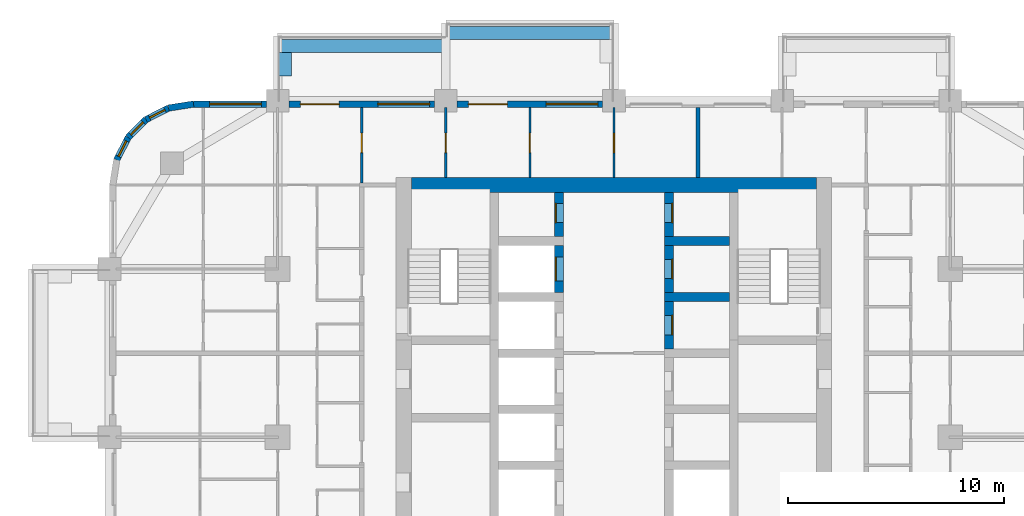
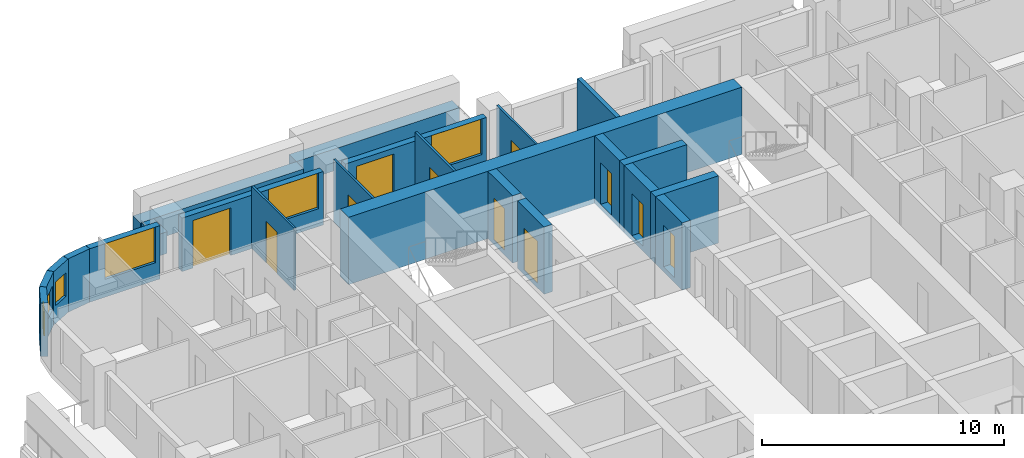
# One storey, part 11 of 17: 23 walls, 11 doors, 6 windows, 17 openings.
"""IFC4 building model written with IfcOpenShell, lengths in metres."""

import ifcopenshell
import ifcopenshell.guid

model = None  # the IFC model being written
_history = None  # IfcOwnerHistory: only IFC2X3 demands one
_inside = {}  # id of a spatial element -> (the spatial element, [elements in it])
_under = {}  # id of a project, library or spatial element -> (it, [spatial elements below it])
_declared = {}  # id of a project -> (the project, [libraries it declares])
_typed = {}  # id of a type object -> (the type object, [elements of that type])
_made_of = {}  # id of a material, layer set ... -> (it, [elements and type objects made of it])


def new_model(schema):
    """Start an empty IFC model of exactly this schema.

    Asked for "IFC4X3", IfcOpenShell would pick the latest addendum, in which some entities
    have other attributes; the version numbers below select the first issue.
    IFC2X3 requires an IfcOwnerHistory on every rooted entity: one is made here for all.
    """
    global model, _history
    if schema == "IFC4X3":
        model = ifcopenshell.file(schema_version=(4, 3, 0, 0))
    else:
        model = ifcopenshell.file(schema=schema)
    _inside.clear()
    _under.clear()
    _declared.clear()
    _typed.clear()
    _made_of.clear()
    _history = None
    if model.schema == "IFC2X3":
        org = make("IfcOrganization", Name="unknown")
        user = make(
            "IfcPersonAndOrganization",
            ThePerson=make("IfcPerson", FamilyName="unknown"),
            TheOrganization=org,
        )
        app = make(
            "IfcApplication",
            ApplicationDeveloper=org,
            Version="unknown",
            ApplicationFullName="unknown",
            ApplicationIdentifier="unknown",
        )
        _history = make(
            "IfcOwnerHistory",
            OwningUser=user,
            OwningApplication=app,
            ChangeAction="ADDED",
            CreationDate=0,
        )
    return model


def make(cls, **values):
    """One entity of the class cls with the attributes given. An attribute that is None is left unset."""
    return model.create_entity(
        cls, **{name: value for name, value in values.items() if value is not None}
    )


def rooted(cls, **values):
    """An entity with a GlobalId (a new one), such as an element, a storey or a relation."""
    return make(cls, GlobalId=ifcopenshell.guid.new(), OwnerHistory=_history, **values)


def si_unit(unit_type, name, prefix=None):
    """IfcSIUnit, for example si_unit("LENGTHUNIT", "METRE", prefix="MILLI")."""
    return make("IfcSIUnit", UnitType=unit_type, Prefix=prefix, Name=name)


def assignment(units):
    """IfcUnitAssignment: the units of a project."""
    return None if units is None else make("IfcUnitAssignment", Units=units)


def point(xyz):
    """IfcCartesianPoint."""
    return None if xyz is None else make("IfcCartesianPoint", Coordinates=xyz)


def direction(xyz):
    """IfcDirection."""
    return None if xyz is None else make("IfcDirection", DirectionRatios=xyz)


def frame(location, z_axis=None, x_axis=None):
    """IfcAxis2Placement3D, a coordinate frame: its origin and axes. An axis left out is left unset."""
    return make(
        "IfcAxis2Placement3D",
        Location=point(location),
        Axis=direction(z_axis),
        RefDirection=direction(x_axis),
    )


def frame_2d(location, x_axis=None):
    """IfcAxis2Placement2D, a coordinate frame in the plane: its origin and x axis."""
    return make(
        "IfcAxis2Placement2D", Location=point(location), RefDirection=direction(x_axis)
    )


def origin():
    """The frame at (0, 0, 0) with its axes left unset."""
    return frame((0.0, 0.0, 0.0))


def place(relative_to, where):
    """IfcLocalPlacement: puts the frame where relative to a parent placement (None: the world)."""
    return make(
        "IfcLocalPlacement", PlacementRelTo=relative_to, RelativePlacement=where
    )


def context(
    kind, dimensions, precision=None, world=None, true_north=None, identifier=None
):
    """IfcGeometricRepresentationContext, for example the 3D "Model" context."""
    return make(
        "IfcGeometricRepresentationContext",
        ContextIdentifier=identifier,
        ContextType=kind,
        CoordinateSpaceDimension=dimensions,
        Precision=precision,
        WorldCoordinateSystem=world,
        TrueNorth=true_north,
    )


def subcontext(parent, identifier, kind, view, scale=None):
    """IfcGeometricRepresentationSubContext, for example "Body" below "Model"."""
    return make(
        "IfcGeometricRepresentationSubContext",
        ContextIdentifier=identifier,
        ContextType=kind,
        ParentContext=parent,
        TargetScale=scale,
        TargetView=view,
    )


def project(units=None, contexts=None):
    """IfcProject with its units and contexts."""
    return rooted(
        "IfcProject",
        Name="project",
        RepresentationContexts=contexts,
        UnitsInContext=assignment(units),
    )


def spatial(cls, under=None, at=None, **own):
    """A site, building, storey or space (cls), placed at a placement, below another one or the project."""
    s = rooted(cls, ObjectPlacement=at, **own)
    if under is not None:
        _under.setdefault(under.id(), (under, []))[1].append(s)
    return s


def profile(cls, at=None, kind="AREA", **sizes):
    """A parametric profile (cls). Its sizes go by their IFC names, for example OverallWidth=200.0."""
    return make(cls, ProfileType=kind, Position=at, **sizes)


def rectangle(**sizes):
    """IfcRectangleProfileDef."""
    return profile("IfcRectangleProfileDef", **sizes)


def extrude(swept, where, along, depth):
    """IfcExtrudedAreaSolid: the profile swept, set in the frame where, extruded along a direction by depth."""
    return make(
        "IfcExtrudedAreaSolid",
        SweptArea=swept,
        Position=where,
        ExtrudedDirection=direction(along),
        Depth=depth,
    )


def shape(context_of_items, identifier, shape_type, items):
    """IfcShapeRepresentation: the items that make up one representation, for example the "Body"."""
    return make(
        "IfcShapeRepresentation",
        ContextOfItems=context_of_items,
        RepresentationIdentifier=identifier,
        RepresentationType=shape_type,
        Items=items,
    )


def material(Name=None, Category=None):
    """IfcMaterial."""
    return make("IfcMaterial", Name=Name, Category=Category)


def layer(
    of_material, thickness, ventilated=None, Name=None, Category=None, Priority=None
):
    """IfcMaterialLayer: one layer of a wall or slab, of a material (None: an air gap)."""
    return make(
        "IfcMaterialLayer",
        Material=of_material,
        LayerThickness=thickness,
        IsVentilated=ventilated,
        Name=Name,
        Category=Category,
        Priority=Priority,
    )


def layer_set(layers, Name=None):
    """IfcMaterialLayerSet."""
    return make("IfcMaterialLayerSet", MaterialLayers=layers, LayerSetName=Name)


def made_of(thing, what):
    """Note that an element or type object is made of a material, layer set ...; save() writes the relation."""
    if what is not None:
        _made_of.setdefault(what.id(), (what, []))[1].append(thing)
    return thing


def type_object(cls, material=None, **own):
    """A type object (cls), such as IfcWallType, which elements share."""
    return made_of(rooted(cls, **own), material)


def element(
    cls,
    number,
    at=None,
    inside=None,
    cuts=None,
    type_object=None,
    material=None,
    context=None,
    identifier="Body",
    shape_type=None,
    held_by="IfcProductDefinitionShape",
    body=None,
    shapes=None,
    **own,
):
    """One element of the class cls, such as IfcWall. Its Tag is "e" and its number.

    at: its placement. inside: the storey or other place that contains it. cuts: it is an
    opening in that element (IfcRelVoidsElement). A single representation is given by context,
    identifier, shape_type and body (its items); several are given by shapes. held_by: the class
    of the entity that holds the representations. save() writes the other relations.
    """
    e = rooted(cls, Tag="e%d" % number, ObjectPlacement=at, **own)
    if body is not None:
        shapes = [shape(context, identifier, shape_type, body)]
    if shapes is not None:
        e.Representation = make(held_by, Representations=shapes)
    if inside is not None:
        _inside.setdefault(inside.id(), (inside, []))[1].append(e)
    if cuts is not None:
        rooted(
            "IfcRelVoidsElement", RelatingBuildingElement=cuts, RelatedOpeningElement=e
        )
    if type_object is not None:
        _typed.setdefault(type_object.id(), (type_object, []))[1].append(e)
    return made_of(e, material)


def fill(opening, filler):
    """IfcRelFillsElement: the door or window that sits in an opening."""
    return rooted(
        "IfcRelFillsElement",
        RelatingOpeningElement=opening,
        RelatedBuildingElement=filler,
    )


def aggregate(whole, parts):
    """IfcRelAggregates: a whole, such as a stair, and the parts it consists of."""
    return rooted("IfcRelAggregates", RelatingObject=whole, RelatedObjects=parts)


def save(model, path):
    """Write the relations noted so far, then the file.

    IfcRelAggregates (storeys below a building ...), IfcRelContainedInSpatialStructure (elements
    in a storey), IfcRelDefinesByType, IfcRelAssociatesMaterial and IfcRelDeclares: one each for
    every whole, place, type object, material and project.
    """
    for whole, parts in _under.values():
        aggregate(whole, parts)
    for where, things in _inside.values():
        rooted(
            "IfcRelContainedInSpatialStructure",
            RelatedElements=things,
            RelatingStructure=where,
        )
    for kind, things in _typed.values():
        rooted("IfcRelDefinesByType", RelatedObjects=things, RelatingType=kind)
    for what, things in _made_of.values():
        rooted("IfcRelAssociatesMaterial", RelatedObjects=things, RelatingMaterial=what)
    for by, libraries in _declared.values():
        rooted("IfcRelDeclares", RelatingContext=by, RelatedDefinitions=libraries)
    model.write(path)


model = new_model("IFC4")

# Units and contexts
model_context = context("Model", 3, precision=1e-05, world=origin(), true_north=direction((0.0, 1.0)))
body_context = subcontext(model_context, "Body", "Model", "MODEL_VIEW")
ifc_project = project(units=[si_unit("LENGTHUNIT", "METRE"), si_unit("AREAUNIT", "SQUARE_METRE"), si_unit("VOLUMEUNIT", "CUBIC_METRE"), si_unit("PLANEANGLEUNIT", "RADIAN"), si_unit("MASSUNIT", "GRAM", prefix="KILO")], contexts=[model_context])

# Site, building, storey
site_placement = place(None, origin())
site = spatial("IfcSite", under=ifc_project, at=site_placement, CompositionType="ELEMENT")
building_placement = place(site_placement, origin())
building = spatial("IfcBuilding", under=site, at=building_placement, Name="Ludao Terraces", CompositionType="ELEMENT")
storey_placement = place(building_placement, frame((0.0, 0.0, 22.89990234375)))
storey = spatial("IfcBuildingStorey", under=building, at=storey_placement, Name="L05", CompositionType="ELEMENT", Elevation=22.89990234375)

# Walls
ifc_material_1 = material(Name="Concrete C70", Category="concrete")
ifc_layer_1 = layer(ifc_material_1, 0.699951171875)
ifc_layer_set_1 = layer_set([ifc_layer_1], Name="Core wall 700 C70")
wall_type_1 = type_object("IfcWallType", Name="Core wall 700 C70", PredefinedType="SOLIDWALL", material=ifc_layer_set_1)
wall_1_placement = place(storey_placement, frame((75.60009765625, 84.5, -0.25), z_axis=(0.0, 0.0, 1.0), x_axis=(1.0, 0.0, 0.0)))
element("IfcWall", 1, at=wall_1_placement, inside=storey, type_object=wall_type_1, Name="Core wall L05 outer-N", PredefinedType="SOLIDWALL", context=body_context, shape_type="SweptSolid", body=[
    extrude(rectangle(XDim=18.7998046875, YDim=0.699951171875, at=frame_2d((9.39990234375, 0.0))), origin(), (0.0, 0.0, 1.0), 3.400146484375),
])
ifc_material_2 = material(Name="Concrete C40", Category="concrete")
ifc_layer_2 = layer(ifc_material_2, 0.60009765625)
ifc_layer_set_2 = layer_set([ifc_layer_2], Name="ENV Planter trough 600")
wall_type_2 = type_object("IfcWallType", Name="ENV Planter trough 600", PredefinedType="USERDEFINED", material=ifc_layer_set_2)
wall_2_placement = place(storey_placement, frame((69.39990234375, 90.949951171875, 0.0), z_axis=(0.0, 0.0, 1.0), x_axis=(1.0, 0.0, 0.0)))
element("IfcWall", 2, at=wall_2_placement, inside=storey, type_object=wall_type_2, Name="PL-L05-N1", ObjectType="PLANTER", PredefinedType="USERDEFINED", context=body_context, shape_type="SweptSolid", body=[
    extrude(rectangle(XDim=7.800048828125, YDim=0.60009765625, at=frame_2d((3.89990234375, 0.0))), origin(), (0.0, 0.0, 1.0), 1.10009765625),
])
wall_3_placement = place(storey_placement, frame((69.75, 90.64990234375, 0.0), z_axis=(0.0, 0.0, 1.0), x_axis=(0.0, -1.0, 0.0)))
element("IfcWall", 3, at=wall_3_placement, inside=storey, type_object=wall_type_2, Name="PL-L05-N1-SA", ObjectType="PLANTER", PredefinedType="USERDEFINED", context=body_context, shape_type="SweptSolid", body=[
    extrude(rectangle(XDim=1.099853515625, YDim=0.60009765625, at=frame_2d((0.5498046875, 0.0))), origin(), (0.0, 0.0, 1.0), 1.10009765625),
])
wall_4_placement = place(storey_placement, frame((77.199951171875, 91.550048828125, 0.0), z_axis=(0.0, 0.0, 1.0), x_axis=(1.0, 0.0, 0.0)))
element("IfcWall", 4, at=wall_4_placement, inside=storey, type_object=wall_type_2, Name="PL-L05-N2", ObjectType="PLANTER", PredefinedType="USERDEFINED", context=body_context, shape_type="SweptSolid", body=[
    extrude(rectangle(XDim=7.800048828125, YDim=0.60009765625, at=frame_2d((3.89990234375, 0.0))), origin(), (0.0, 0.0, 1.0), 1.10009765625),
])

# Wall, opening, window
ifc_material_3 = material(Name="Granite cladding", Category="masonry")
ifc_layer_3 = layer(ifc_material_3, 0.0400390625, Category="stone")
ifc_material_4 = material(Name="Mineral wool")
ifc_layer_4 = layer(ifc_material_4, 0.06005859375)
ifc_layer_5 = layer(ifc_material_2, 0.199951171875, Category="concrete")
ifc_layer_set_3 = layer_set([ifc_layer_3, ifc_layer_4, ifc_layer_5], Name="ENV Stone-clad wall 300")
wall_type_3 = type_object("IfcWallType", Name="ENV Stone-clad wall 300", PredefinedType="SOLIDWALL", material=ifc_layer_set_3)
wall_5_placement = place(storey_placement, frame((65.5, 88.25, 0.0), z_axis=(0.0, 0.0, 1.0), x_axis=(1.0, 0.0, 0.0)))
wall_5 = element("IfcWall", 5, at=wall_5_placement, inside=storey, type_object=wall_type_3, Name="EW-L05-N1", PredefinedType="SOLIDWALL", context=body_context, shape_type="SweptSolid", body=[
    extrude(rectangle(XDim=3.375, YDim=0.300048828125, at=frame_2d((1.6875, 0.0))), origin(), (0.0, 0.0, 1.0), 2.7001953125),
])
opening_1_placement = place(wall_5_placement, frame((0.75, 0.0, 0.89990234375)))
opening_1 = element("IfcOpeningElement", 6, at=opening_1_placement, cuts=wall_5, Name="Opening W1", PredefinedType="OPENING", context=body_context, shape_type="SweptSolid", body=[
    extrude(rectangle(XDim=2.39990234375, YDim=1.800048828125, at=frame_2d((1.199951171875, 0.89990234375))), frame((0.0, 0.16015625, 0.0), z_axis=(0.0, -1.0, 0.0), x_axis=(1.0, 0.0, 0.0)), (0.0, 0.0, 1.0), 0.320068359375),
])
ifc_material_5 = material(Name="Clear glass in aluminium frame", Category="aluminium")
ifc_layer_6 = layer(ifc_material_5, 0.06005859375)
ifc_layer_set_4 = layer_set([ifc_layer_6], Name="ENV Window W1 2400x1800")
window_type_1 = type_object("IfcWindowType", Name="ENV Window W1 2400x1800", PartitioningType="DOUBLE_PANEL_VERTICAL", PredefinedType="WINDOW", material=ifc_layer_set_4)
window_1_placement = place(opening_1_placement, origin())
window_1 = element("IfcWindow", 7, at=window_1_placement, inside=storey, type_object=window_type_1, Name="W-L05-N1-1", OverallHeight=1.800048828125, OverallWidth=2.39990234375, PartitioningType="DOUBLE_PANEL_VERTICAL", PredefinedType="WINDOW", context=body_context, shape_type="SweptSolid", body=[
    extrude(rectangle(XDim=2.39990234375, YDim=1.800048828125, at=frame_2d((1.199951171875, 0.89990234375))), frame((0.0, 0.030029296875, 0.0), z_axis=(0.0, -1.0, 0.0), x_axis=(1.0, 0.0, 0.0)), (0.0, 0.0, 1.0), 0.06005859375),
])
fill(opening_1, window_1)

# Wall, openings, door, window
wall_6_placement = place(storey_placement, frame((69.925048828125, 88.25, 0.0), z_axis=(0.0, 0.0, 1.0), x_axis=(1.0, 0.0, 0.0)))
wall_6 = element("IfcWall", 8, at=wall_6_placement, inside=storey, type_object=wall_type_3, Name="EW-L05-N2", PredefinedType="SOLIDWALL", context=body_context, shape_type="SweptSolid", body=[
    extrude(rectangle(XDim=6.75, YDim=0.300048828125, at=frame_2d((3.375, 0.0))), origin(), (0.0, 0.0, 1.0), 2.7001953125),
])
opening_2_placement = place(wall_6_placement, frame((0.52490234375, 0.0, 0.0)))
opening_2 = element("IfcOpeningElement", 9, at=opening_2_placement, cuts=wall_6, Name="Opening BD", PredefinedType="OPENING", context=body_context, shape_type="SweptSolid", body=[
    extrude(rectangle(XDim=1.800048828125, YDim=2.39990234375, at=frame_2d((0.89990234375, 1.199951171875))), frame((0.0, 0.16015625, 0.0), z_axis=(0.0, -1.0, 0.0), x_axis=(1.0, 0.0, 0.0)), (0.0, 0.0, 1.0), 0.320068359375),
])
opening_3_placement = place(wall_6_placement, frame((4.125, 0.0, 0.89990234375)))
opening_3 = element("IfcOpeningElement", 10, at=opening_3_placement, cuts=wall_6, Name="Opening W1", PredefinedType="OPENING", context=body_context, shape_type="SweptSolid", body=[
    extrude(rectangle(XDim=2.39990234375, YDim=1.800048828125, at=frame_2d((1.199951171875, 0.89990234375))), frame((0.0, 0.16015625, 0.0), z_axis=(0.0, -1.0, 0.0), x_axis=(1.0, 0.0, 0.0)), (0.0, 0.0, 1.0), 0.320068359375),
])
ifc_material_6 = material(Name="Aluminium glazed door", Category="aluminium")
ifc_layer_7 = layer(ifc_material_6, 0.06005859375)
ifc_layer_set_5 = layer_set([ifc_layer_7], Name="ENV Balcony door BD 1800x2400")
door_type_1 = type_object("IfcDoorType", Name="ENV Balcony door BD 1800x2400", OperationType="DOUBLE_DOOR_SINGLE_SWING", PredefinedType="DOOR", material=ifc_layer_set_5)
door_1_placement = place(opening_2_placement, origin())
door_1 = element("IfcDoor", 11, at=door_1_placement, inside=storey, type_object=door_type_1, Name="BD-L05-N2-1", OperationType="DOUBLE_DOOR_SINGLE_SWING", OverallHeight=2.39990234375, OverallWidth=1.800048828125, PredefinedType="DOOR", context=body_context, shape_type="SweptSolid", body=[
    extrude(rectangle(XDim=1.800048828125, YDim=2.39990234375, at=frame_2d((0.89990234375, 1.199951171875))), frame((0.0, 0.02490234375, 0.0), z_axis=(0.0, -1.0, 0.0), x_axis=(1.0, 0.0, 0.0)), (0.0, 0.0, 1.0), 0.050048828125),
])
fill(opening_2, door_1)
window_2_placement = place(opening_3_placement, origin())
window_2 = element("IfcWindow", 12, at=window_2_placement, inside=storey, type_object=window_type_1, Name="W-L05-N2-2", OverallHeight=1.800048828125, OverallWidth=2.39990234375, PartitioningType="DOUBLE_PANEL_VERTICAL", PredefinedType="WINDOW", context=body_context, shape_type="SweptSolid", body=[
    extrude(rectangle(XDim=2.39990234375, YDim=1.800048828125, at=frame_2d((1.199951171875, 0.89990234375))), frame((0.0, 0.030029296875, 0.0), z_axis=(0.0, -1.0, 0.0), x_axis=(1.0, 0.0, 0.0)), (0.0, 0.0, 1.0), 0.06005859375),
])
fill(opening_3, window_2)

wall_7_placement = place(storey_placement, frame((77.72509765625, 88.25, 0.0), z_axis=(0.0, 0.0, 1.0), x_axis=(1.0, 0.0, 0.0)))
wall_7 = element("IfcWall", 13, at=wall_7_placement, inside=storey, type_object=wall_type_3, Name="EW-L05-N3", PredefinedType="SOLIDWALL", context=body_context, shape_type="SweptSolid", body=[
    extrude(rectangle(XDim=6.75, YDim=0.300048828125, at=frame_2d((3.375, 0.0))), origin(), (0.0, 0.0, 1.0), 2.7001953125),
])
opening_4_placement = place(wall_7_placement, frame((0.52490234375, 0.0, 0.0)))
opening_4 = element("IfcOpeningElement", 14, at=opening_4_placement, cuts=wall_7, Name="Opening BD", PredefinedType="OPENING", context=body_context, shape_type="SweptSolid", body=[
    extrude(rectangle(XDim=1.800048828125, YDim=2.39990234375, at=frame_2d((0.89990234375, 1.199951171875))), frame((0.0, 0.16015625, 0.0), z_axis=(0.0, -1.0, 0.0), x_axis=(1.0, 0.0, 0.0)), (0.0, 0.0, 1.0), 0.320068359375),
])
opening_5_placement = place(wall_7_placement, frame((4.125, 0.0, 0.89990234375)))
opening_5 = element("IfcOpeningElement", 15, at=opening_5_placement, cuts=wall_7, Name="Opening W1", PredefinedType="OPENING", context=body_context, shape_type="SweptSolid", body=[
    extrude(rectangle(XDim=2.39990234375, YDim=1.800048828125, at=frame_2d((1.199951171875, 0.89990234375))), frame((0.0, 0.16015625, 0.0), z_axis=(0.0, -1.0, 0.0), x_axis=(1.0, 0.0, 0.0)), (0.0, 0.0, 1.0), 0.320068359375),
])
door_2_placement = place(opening_4_placement, origin())
door_2 = element("IfcDoor", 16, at=door_2_placement, inside=storey, type_object=door_type_1, Name="BD-L05-N3-1", OperationType="DOUBLE_DOOR_SINGLE_SWING", OverallHeight=2.39990234375, OverallWidth=1.800048828125, PredefinedType="DOOR", context=body_context, shape_type="SweptSolid", body=[
    extrude(rectangle(XDim=1.800048828125, YDim=2.39990234375, at=frame_2d((0.89990234375, 1.199951171875))), frame((0.0, 0.02490234375, 0.0), z_axis=(0.0, -1.0, 0.0), x_axis=(1.0, 0.0, 0.0)), (0.0, 0.0, 1.0), 0.050048828125),
])
fill(opening_4, door_2)
window_3_placement = place(opening_5_placement, origin())
window_3 = element("IfcWindow", 17, at=window_3_placement, inside=storey, type_object=window_type_1, Name="W-L05-N3-2", OverallHeight=1.800048828125, OverallWidth=2.39990234375, PartitioningType="DOUBLE_PANEL_VERTICAL", PredefinedType="WINDOW", context=body_context, shape_type="SweptSolid", body=[
    extrude(rectangle(XDim=2.39990234375, YDim=1.800048828125, at=frame_2d((1.199951171875, 0.89990234375))), frame((0.0, 0.030029296875, 0.0), z_axis=(0.0, -1.0, 0.0), x_axis=(1.0, 0.0, 0.0)), (0.0, 0.0, 1.0), 0.06005859375),
])
fill(opening_5, window_3)

# Wall
wall_8_placement = place(storey_placement, frame((65.5, 88.25, 0.0), z_axis=(0.0, 0.0, 1.0), x_axis=(-0.987678452879, -0.156496880861, 0.0)))
element("IfcWall", 18, at=wall_8_placement, inside=storey, type_object=wall_type_3, Name="EW-L05-NW1", PredefinedType="SOLIDWALL", context=body_context, shape_type="SweptSolid", body=[
    extrude(rectangle(XDim=1.173095703125, YDim=0.300048828125, at=frame_2d((0.58642578125, 0.0))), origin(), (0.0, 0.0, 1.0), 2.7001953125),
])

# Wall, opening, window
wall_9_placement = place(storey_placement, frame((64.34130859375, 88.06640625, 0.0), z_axis=(0.0, 0.0, 1.0), x_axis=(-0.890988677504, -0.454025524128, 0.0)))
wall_9 = element("IfcWall", 19, at=wall_9_placement, inside=storey, type_object=wall_type_3, Name="EW-L05-NW2", PredefinedType="SOLIDWALL", context=body_context, shape_type="SweptSolid", body=[
    extrude(rectangle(XDim=1.17333984375, YDim=0.300048828125, at=frame_2d((0.586669921875, 0.0))), origin(), (0.0, 0.0, 1.0), 2.7001953125),
])
opening_6_placement = place(wall_9_placement, frame((0.1865234375, 0.0, 0.89990234375)))
opening_6 = element("IfcOpeningElement", 20, at=opening_6_placement, cuts=wall_9, Name="Opening W3", PredefinedType="OPENING", context=body_context, shape_type="SweptSolid", body=[
    extrude(rectangle(XDim=0.800048828125, YDim=1.199951171875, at=frame_2d((0.39990234375, 0.60009765625))), frame((0.0, 0.16015625, 0.0), z_axis=(0.0, -1.0, 0.0), x_axis=(1.0, 0.0, 0.0)), (0.0, 0.0, 1.0), 0.320068359375),
])
ifc_layer_8 = layer(ifc_material_5, 0.06005859375)
ifc_layer_set_6 = layer_set([ifc_layer_8], Name="ENV Window W3 800x1200")
window_type_2 = type_object("IfcWindowType", Name="ENV Window W3 800x1200", PartitioningType="SINGLE_PANEL", PredefinedType="WINDOW", material=ifc_layer_set_6)
window_4_placement = place(opening_6_placement, origin())
window_4 = element("IfcWindow", 21, at=window_4_placement, inside=storey, type_object=window_type_2, Name="W-L05-NW2", OverallHeight=1.199951171875, OverallWidth=0.800048828125, PartitioningType="SINGLE_PANEL", PredefinedType="WINDOW", context=body_context, shape_type="SweptSolid", body=[
    extrude(rectangle(XDim=0.800048828125, YDim=1.199951171875, at=frame_2d((0.39990234375, 0.60009765625))), frame((0.0, 0.030029296875, 0.0), z_axis=(0.0, -1.0, 0.0), x_axis=(1.0, 0.0, 0.0)), (0.0, 0.0, 1.0), 0.06005859375),
])
fill(opening_6, window_4)

wall_10_placement = place(storey_placement, frame((63.2958984375, 87.53369140625, 0.0), z_axis=(0.0, 0.0, 1.0), x_axis=(-0.707106781187, -0.707106781187, 0.0)))
wall_10 = element("IfcWall", 22, at=wall_10_placement, inside=storey, type_object=wall_type_3, Name="EW-L05-NW3", PredefinedType="SOLIDWALL", context=body_context, shape_type="SweptSolid", body=[
    extrude(rectangle(XDim=1.173095703125, YDim=0.300048828125, at=frame_2d((0.58642578125, 0.0))), origin(), (0.0, 0.0, 1.0), 2.7001953125),
])
opening_7_placement = place(wall_10_placement, frame((0.1865234375, 0.0, 0.89990234375)))
opening_7 = element("IfcOpeningElement", 23, at=opening_7_placement, cuts=wall_10, Name="Opening W3", PredefinedType="OPENING", context=body_context, shape_type="SweptSolid", body=[
    extrude(rectangle(XDim=0.800048828125, YDim=1.199951171875, at=frame_2d((0.39990234375, 0.60009765625))), frame((0.0, 0.16015625, 0.0), z_axis=(0.0, -1.0, 0.0), x_axis=(1.0, 0.0, 0.0)), (0.0, 0.0, 1.0), 0.320068359375),
])
window_5_placement = place(opening_7_placement, origin())
window_5 = element("IfcWindow", 24, at=window_5_placement, inside=storey, type_object=window_type_2, Name="W-L05-NW3", OverallHeight=1.199951171875, OverallWidth=0.800048828125, PartitioningType="SINGLE_PANEL", PredefinedType="WINDOW", context=body_context, shape_type="SweptSolid", body=[
    extrude(rectangle(XDim=0.800048828125, YDim=1.199951171875, at=frame_2d((0.39990234375, 0.60009765625))), frame((0.0, 0.030029296875, 0.0), z_axis=(0.0, -1.0, 0.0), x_axis=(1.0, 0.0, 0.0)), (0.0, 0.0, 1.0), 0.06005859375),
])
fill(opening_7, window_5)

wall_11_placement = place(storey_placement, frame((62.46630859375, 86.7041015625, 0.0), z_axis=(0.0, 0.0, 1.0), x_axis=(-0.454025524128, -0.890988677504, 0.0)))
wall_11 = element("IfcWall", 25, at=wall_11_placement, inside=storey, type_object=wall_type_3, Name="EW-L05-NW4", PredefinedType="SOLIDWALL", context=body_context, shape_type="SweptSolid", body=[
    extrude(rectangle(XDim=1.17333984375, YDim=0.300048828125, at=frame_2d((0.586669921875, 0.0))), origin(), (0.0, 0.0, 1.0), 2.7001953125),
])
opening_8_placement = place(wall_11_placement, frame((0.1865234375, 0.0, 0.89990234375)))
opening_8 = element("IfcOpeningElement", 26, at=opening_8_placement, cuts=wall_11, Name="Opening W3", PredefinedType="OPENING", context=body_context, shape_type="SweptSolid", body=[
    extrude(rectangle(XDim=0.800048828125, YDim=1.199951171875, at=frame_2d((0.39990234375, 0.60009765625))), frame((0.0, 0.16015625, 0.0), z_axis=(0.0, -1.0, 0.0), x_axis=(1.0, 0.0, 0.0)), (0.0, 0.0, 1.0), 0.320068359375),
])
window_6_placement = place(opening_8_placement, origin())
window_6 = element("IfcWindow", 27, at=window_6_placement, inside=storey, type_object=window_type_2, Name="W-L05-NW4", OverallHeight=1.199951171875, OverallWidth=0.800048828125, PartitioningType="SINGLE_PANEL", PredefinedType="WINDOW", context=body_context, shape_type="SweptSolid", body=[
    extrude(rectangle(XDim=0.800048828125, YDim=1.199951171875, at=frame_2d((0.39990234375, 0.60009765625))), frame((0.0, 0.030029296875, 0.0), z_axis=(0.0, -1.0, 0.0), x_axis=(1.0, 0.0, 0.0)), (0.0, 0.0, 1.0), 0.06005859375),
])
fill(opening_8, window_6)

# Wall, opening, door
ifc_material_7 = material(Name="Gypsum plasterboard", Category="gypsum")
ifc_layer_9 = layer(ifc_material_7, 0.012451171875, Category="gypsum")
ifc_layer_10 = layer(ifc_material_4, 0.06005859375, Name="insulation")
ifc_material_8 = material(Name="Steel Q235", Category="steel")
ifc_layer_11 = layer(ifc_material_8, 0.014892578125, Name="stud")
ifc_layer_12 = layer(ifc_material_7, 0.012451171875, Category="gypsum")
ifc_layer_set_7 = layer_set([ifc_layer_9, ifc_layer_10, ifc_layer_11, ifc_layer_12], Name="INT Partition 100")
wall_type_4 = type_object("IfcWallType", Name="INT Partition 100", PredefinedType="PARTITIONING", material=ifc_layer_set_7)
wall_12_placement = place(storey_placement, frame((73.300048828125, 84.60009765625, 0.0), z_axis=(0.0, 0.0, 1.0), x_axis=(0.0, 1.0, 0.0)))
wall_12 = element("IfcWall", 28, at=wall_12_placement, inside=storey, type_object=wall_type_4, Name="PW-L05-PW085", PredefinedType="PARTITIONING", context=body_context, shape_type="SweptSolid", body=[
    extrude(rectangle(XDim=3.5, YDim=0.10009765625, at=frame_2d((1.75, 0.0))), origin(), (0.0, 0.0, 1.0), 3.150146484375),
])
opening_9_placement = place(wall_12_placement, frame((1.39990234375, 0.0, 0.0)))
opening_9 = element("IfcOpeningElement", 29, at=opening_9_placement, cuts=wall_12, Name="Opening R01-151", PredefinedType="OPENING", context=body_context, shape_type="SweptSolid", body=[
    extrude(rectangle(XDim=0.89990234375, YDim=2.10009765625, at=frame_2d((0.449951171875, 1.050048828125))), frame((0.0, 0.06005859375, 0.0), z_axis=(0.0, -1.0, 0.0), x_axis=(1.0, 0.0, 0.0)), (0.0, 0.0, 1.0), 0.1201171875),
])
ifc_material_9 = material(Name="Timber door leaf", Category="wood")
door_type_2 = type_object("IfcDoorType", Name="INT Room door 900", OperationType="SINGLE_SWING_LEFT", PredefinedType="DOOR", material=ifc_material_9)
door_3_placement = place(opening_9_placement, origin())
door_3 = element("IfcDoor", 30, at=door_3_placement, inside=storey, type_object=door_type_2, Name="DOOR 151", OperationType="SINGLE_SWING_LEFT", OverallHeight=2.10009765625, OverallWidth=0.89990234375, PredefinedType="DOOR", context=body_context, shape_type="SweptSolid", body=[
    extrude(rectangle(XDim=0.89990234375, YDim=2.10009765625, at=frame_2d((0.449951171875, 1.050048828125))), frame((0.0, 0.02490234375, 0.0), z_axis=(0.0, -1.0, 0.0), x_axis=(1.0, 0.0, 0.0)), (0.0, 0.0, 1.0), 0.050048828125),
])
fill(opening_9, door_3)

wall_13_placement = place(storey_placement, frame((77.199951171875, 84.85009765625, 0.0), z_axis=(0.0, 0.0, 1.0), x_axis=(0.0, 1.0, 0.0)))
wall_13 = element("IfcWall", 31, at=wall_13_placement, inside=storey, type_object=wall_type_4, Name="PW-L05-PW089", PredefinedType="PARTITIONING", context=body_context, shape_type="SweptSolid", body=[
    extrude(rectangle(XDim=3.25, YDim=0.10009765625, at=frame_2d((1.625, 0.0))), origin(), (0.0, 0.0, 1.0), 3.150146484375),
])
opening_10_placement = place(wall_13_placement, frame((1.14990234375, 0.0, 0.0)))
opening_10 = element("IfcOpeningElement", 32, at=opening_10_placement, cuts=wall_13, Name="Opening R01-152", PredefinedType="OPENING", context=body_context, shape_type="SweptSolid", body=[
    extrude(rectangle(XDim=0.89990234375, YDim=2.10009765625, at=frame_2d((0.449951171875, 1.050048828125))), frame((0.0, 0.06005859375, 0.0), z_axis=(0.0, -1.0, 0.0), x_axis=(1.0, 0.0, 0.0)), (0.0, 0.0, 1.0), 0.1201171875),
])
door_4_placement = place(opening_10_placement, origin())
door_4 = element("IfcDoor", 33, at=door_4_placement, inside=storey, type_object=door_type_2, Name="DOOR 152", OperationType="SINGLE_SWING_RIGHT", OverallHeight=2.10009765625, OverallWidth=0.89990234375, PredefinedType="DOOR", context=body_context, shape_type="SweptSolid", body=[
    extrude(rectangle(XDim=0.89990234375, YDim=2.10009765625, at=frame_2d((0.449951171875, 1.050048828125))), frame((0.0, 0.02490234375, 0.0), z_axis=(0.0, -1.0, 0.0), x_axis=(1.0, 0.0, 0.0)), (0.0, 0.0, 1.0), 0.050048828125),
])
fill(opening_10, door_4)

wall_14_placement = place(storey_placement, frame((81.10009765625, 84.85009765625, 0.0), z_axis=(0.0, 0.0, 1.0), x_axis=(0.0, 1.0, 0.0)))
wall_14 = element("IfcWall", 34, at=wall_14_placement, inside=storey, type_object=wall_type_4, Name="PW-L05-PW093", PredefinedType="PARTITIONING", context=body_context, shape_type="SweptSolid", body=[
    extrude(rectangle(XDim=3.25, YDim=0.10009765625, at=frame_2d((1.625, 0.0))), origin(), (0.0, 0.0, 1.0), 3.150146484375),
])
opening_11_placement = place(wall_14_placement, frame((1.14990234375, 0.0, 0.0)))
opening_11 = element("IfcOpeningElement", 35, at=opening_11_placement, cuts=wall_14, Name="Opening R01-153", PredefinedType="OPENING", context=body_context, shape_type="SweptSolid", body=[
    extrude(rectangle(XDim=0.89990234375, YDim=2.10009765625, at=frame_2d((0.449951171875, 1.050048828125))), frame((0.0, 0.06005859375, 0.0), z_axis=(0.0, -1.0, 0.0), x_axis=(1.0, 0.0, 0.0)), (0.0, 0.0, 1.0), 0.1201171875),
])
door_5_placement = place(opening_11_placement, origin())
door_5 = element("IfcDoor", 36, at=door_5_placement, inside=storey, type_object=door_type_2, Name="DOOR 153", OperationType="SINGLE_SWING_RIGHT", OverallHeight=2.10009765625, OverallWidth=0.89990234375, PredefinedType="DOOR", context=body_context, shape_type="SweptSolid", body=[
    extrude(rectangle(XDim=0.89990234375, YDim=2.10009765625, at=frame_2d((0.449951171875, 1.050048828125))), frame((0.0, 0.02490234375, 0.0), z_axis=(0.0, -1.0, 0.0), x_axis=(1.0, 0.0, 0.0)), (0.0, 0.0, 1.0), 0.050048828125),
])
fill(opening_11, door_5)

wall_15_placement = place(storey_placement, frame((85.0, 84.85009765625, 0.0), z_axis=(0.0, 0.0, 1.0), x_axis=(0.0, 1.0, 0.0)))
wall_15 = element("IfcWall", 37, at=wall_15_placement, inside=storey, type_object=wall_type_4, Name="PW-L05-PW097", PredefinedType="PARTITIONING", context=body_context, shape_type="SweptSolid", body=[
    extrude(rectangle(XDim=3.25, YDim=0.10009765625, at=frame_2d((1.625, 0.0))), origin(), (0.0, 0.0, 1.0), 3.150146484375),
])
opening_12_placement = place(wall_15_placement, frame((1.14990234375, 0.0, 0.0)))
opening_12 = element("IfcOpeningElement", 38, at=opening_12_placement, cuts=wall_15, Name="Opening R01-154", PredefinedType="OPENING", context=body_context, shape_type="SweptSolid", body=[
    extrude(rectangle(XDim=0.89990234375, YDim=2.10009765625, at=frame_2d((0.449951171875, 1.050048828125))), frame((0.0, 0.06005859375, 0.0), z_axis=(0.0, -1.0, 0.0), x_axis=(1.0, 0.0, 0.0)), (0.0, 0.0, 1.0), 0.1201171875),
])
door_6_placement = place(opening_12_placement, origin())
door_6 = element("IfcDoor", 39, at=door_6_placement, inside=storey, type_object=door_type_2, Name="DOOR 154", OperationType="SINGLE_SWING_RIGHT", OverallHeight=2.10009765625, OverallWidth=0.89990234375, PredefinedType="DOOR", context=body_context, shape_type="SweptSolid", body=[
    extrude(rectangle(XDim=0.89990234375, YDim=2.10009765625, at=frame_2d((0.449951171875, 1.050048828125))), frame((0.0, 0.02490234375, 0.0), z_axis=(0.0, -1.0, 0.0), x_axis=(1.0, 0.0, 0.0)), (0.0, 0.0, 1.0), 0.050048828125),
])
fill(opening_12, door_6)

# Wall
ifc_material_10 = material(Name="Autoclaved aerated concrete block B06 A3.5", Category="concrete")
ifc_layer_13 = layer(ifc_material_10, 0.199951171875)
ifc_layer_set_8 = layer_set([ifc_layer_13], Name="INT Party wall 200")
wall_type_5 = type_object("IfcWallType", Name="INT Party wall 200", PredefinedType="PARTITIONING", material=ifc_layer_set_8)
wall_16_placement = place(storey_placement, frame((88.89990234375, 84.85009765625, 0.0), z_axis=(0.0, 0.0, 1.0), x_axis=(0.0, 1.0, 0.0)))
element("IfcWall", 40, at=wall_16_placement, inside=storey, type_object=wall_type_5, Name="PW-L05-PW102", PredefinedType="PARTITIONING", context=body_context, shape_type="SweptSolid", body=[
    extrude(rectangle(XDim=3.25, YDim=0.199951171875, at=frame_2d((1.625, 0.0))), origin(), (0.0, 0.0, 1.0), 3.150146484375),
])

# Wall, opening, door
ifc_material_11 = material(Name="Concrete C60", Category="concrete")
ifc_layer_14 = layer(ifc_material_11, 0.39990234375)
ifc_layer_set_9 = layer_set([ifc_layer_14], Name="Shaft wall 400 C60")
wall_type_6 = type_object("IfcWallType", Name="Shaft wall 400 C60", PredefinedType="SOLIDWALL", material=ifc_layer_set_9)
wall_17_placement = place(storey_placement, frame((82.449951171875, 79.5, -0.25), z_axis=(0.0, 0.0, 1.0), x_axis=(0.0, 1.0, 0.0)))
wall_17 = element("IfcWall", 41, at=wall_17_placement, inside=storey, type_object=wall_type_6, Name="Core wall L05 front-W8", PredefinedType="SOLIDWALL", context=body_context, shape_type="SweptSolid", body=[
    extrude(rectangle(XDim=2.199951171875, YDim=0.39990234375, at=frame_2d((1.10009765625, 0.0))), origin(), (0.0, 0.0, 1.0), 3.400146484375),
])
opening_13_placement = place(wall_17_placement, frame((0.550048828125, 0.0, 0.25)))
opening_13 = element("IfcOpeningElement", 42, at=opening_13_placement, cuts=wall_17, Name="Opening LD-FF2", PredefinedType="OPENING", context=body_context, shape_type="SweptSolid", body=[
    extrude(rectangle(XDim=1.10009765625, YDim=2.10009765625, at=frame_2d((0.550048828125, 1.050048828125))), frame((0.0, 0.2099609375, 0.0), z_axis=(0.0, -1.0, 0.0), x_axis=(1.0, 0.0, 0.0)), (0.0, 0.0, 1.0), 0.419921875),
])
ifc_material_12 = material(Name="Stainless steel 304", Category="steel")
door_type_3 = type_object("IfcDoorType", Name="INT Lift landing door 1100", OperationType="SLIDING_TO_LEFT", PredefinedType="DOOR", material=ifc_material_12)
door_7_placement = place(opening_13_placement, origin())
door_7 = element("IfcDoor", 43, at=door_7_placement, inside=storey, type_object=door_type_3, Name="LANDING DOOR FF2 L05", OperationType="SLIDING_TO_LEFT", OverallHeight=2.10009765625, OverallWidth=1.10009765625, PredefinedType="DOOR", context=body_context, shape_type="SweptSolid", body=[
    extrude(rectangle(XDim=1.10009765625, YDim=2.10009765625, at=frame_2d((0.550048828125, 1.050048828125))), frame((0.0, 0.18505859375, 0.0), z_axis=(0.0, -1.0, 0.0), x_axis=(1.0, 0.0, 0.0)), (0.0, 0.0, 1.0), 0.050048828125),
])
fill(opening_13, door_7)

wall_18_placement = place(storey_placement, frame((82.449951171875, 82.10009765625, -0.25), z_axis=(0.0, 0.0, 1.0), x_axis=(0.0, 1.0, 0.0)))
wall_18 = element("IfcWall", 44, at=wall_18_placement, inside=storey, type_object=wall_type_6, Name="Core wall L05 front-W9", PredefinedType="SOLIDWALL", context=body_context, shape_type="SweptSolid", body=[
    extrude(rectangle(XDim=2.0498046875, YDim=0.39990234375, at=frame_2d((1.02490234375, 0.0))), origin(), (0.0, 0.0, 1.0), 3.400146484375),
])
opening_14_placement = place(wall_18_placement, frame((0.64990234375, 0.0, 0.25)))
opening_14 = element("IfcOpeningElement", 45, at=opening_14_placement, cuts=wall_18, Name="Opening R01-144", PredefinedType="OPENING", context=body_context, shape_type="SweptSolid", body=[
    extrude(rectangle(XDim=0.89990234375, YDim=2.10009765625, at=frame_2d((0.449951171875, 1.050048828125))), frame((0.0, 0.2099609375, 0.0), z_axis=(0.0, -1.0, 0.0), x_axis=(1.0, 0.0, 0.0)), (0.0, 0.0, 1.0), 0.419921875),
])
door_8_placement = place(opening_14_placement, origin())
door_8 = element("IfcDoor", 46, at=door_8_placement, inside=storey, type_object=door_type_2, Name="DOOR 144", OperationType="SINGLE_SWING_RIGHT", OverallHeight=2.10009765625, OverallWidth=0.89990234375, PredefinedType="DOOR", context=body_context, shape_type="SweptSolid", body=[
    extrude(rectangle(XDim=0.89990234375, YDim=2.10009765625, at=frame_2d((0.449951171875, 1.050048828125))), frame((0.0, 0.18505859375, 0.0), z_axis=(0.0, -1.0, 0.0), x_axis=(1.0, 0.0, 0.0)), (0.0, 0.0, 1.0), 0.050048828125),
])
fill(opening_14, door_8)

wall_19_placement = place(storey_placement, frame((87.550048828125, 76.89990234375, -0.25), z_axis=(0.0, 0.0, 1.0), x_axis=(0.0, 1.0, 0.0)))
wall_19 = element("IfcWall", 47, at=wall_19_placement, inside=storey, type_object=wall_type_6, Name="Core wall L05 front-E7", PredefinedType="SOLIDWALL", context=body_context, shape_type="SweptSolid", body=[
    extrude(rectangle(XDim=2.2001953125, YDim=0.39990234375, at=frame_2d((1.10009765625, 0.0))), origin(), (0.0, 0.0, 1.0), 3.400146484375),
])
opening_15_placement = place(wall_19_placement, frame((0.64990234375, 0.0, 0.25)))
opening_15 = element("IfcOpeningElement", 48, at=opening_15_placement, cuts=wall_19, Name="Opening R01-126", PredefinedType="OPENING", context=body_context, shape_type="SweptSolid", body=[
    extrude(rectangle(XDim=0.89990234375, YDim=2.10009765625, at=frame_2d((0.449951171875, 1.050048828125))), frame((0.0, 0.2099609375, 0.0), z_axis=(0.0, -1.0, 0.0), x_axis=(1.0, 0.0, 0.0)), (0.0, 0.0, 1.0), 0.419921875),
])
door_9_placement = place(opening_15_placement, origin())
door_9 = element("IfcDoor", 49, at=door_9_placement, inside=storey, type_object=door_type_2, Name="DOOR 126", OperationType="SINGLE_SWING_RIGHT", OverallHeight=2.10009765625, OverallWidth=0.89990234375, PredefinedType="DOOR", context=body_context, shape_type="SweptSolid", body=[
    extrude(rectangle(XDim=0.89990234375, YDim=2.10009765625, at=frame_2d((0.449951171875, 1.050048828125))), frame((0.0, -0.134765625, 0.0), z_axis=(0.0, -1.0, 0.0), x_axis=(1.0, 0.0, 0.0)), (0.0, 0.0, 1.0), 0.050048828125),
])
fill(opening_15, door_9)

# Wall
wall_20_placement = place(storey_placement, frame((87.35009765625, 79.300048828125, -0.25), z_axis=(0.0, 0.0, 1.0), x_axis=(1.0, 0.0, 0.0)))
element("IfcWall", 50, at=wall_20_placement, inside=storey, type_object=wall_type_6, Name="Core wall L05 div-E8", PredefinedType="SOLIDWALL", context=body_context, shape_type="SweptSolid", body=[
    extrude(rectangle(XDim=3.0, YDim=0.39990234375, at=frame_2d((1.5, 0.0))), origin(), (0.0, 0.0, 1.0), 3.400146484375),
])

# Wall, opening, door
wall_21_placement = place(storey_placement, frame((87.550048828125, 79.5, -0.25), z_axis=(0.0, 0.0, 1.0), x_axis=(0.0, 1.0, 0.0)))
wall_21 = element("IfcWall", 51, at=wall_21_placement, inside=storey, type_object=wall_type_6, Name="Core wall L05 front-E8", PredefinedType="SOLIDWALL", context=body_context, shape_type="SweptSolid", body=[
    extrude(rectangle(XDim=2.199951171875, YDim=0.39990234375, at=frame_2d((1.10009765625, 0.0))), origin(), (0.0, 0.0, 1.0), 3.400146484375),
])
opening_16_placement = place(wall_21_placement, frame((0.64990234375, 0.0, 0.25)))
opening_16 = element("IfcOpeningElement", 52, at=opening_16_placement, cuts=wall_21, Name="Opening R01-137", PredefinedType="OPENING", context=body_context, shape_type="SweptSolid", body=[
    extrude(rectangle(XDim=0.89990234375, YDim=2.10009765625, at=frame_2d((0.449951171875, 1.050048828125))), frame((0.0, 0.2099609375, 0.0), z_axis=(0.0, -1.0, 0.0), x_axis=(1.0, 0.0, 0.0)), (0.0, 0.0, 1.0), 0.419921875),
])
door_10_placement = place(opening_16_placement, origin())
door_10 = element("IfcDoor", 53, at=door_10_placement, inside=storey, type_object=door_type_2, Name="DOOR 137", OperationType="SINGLE_SWING_RIGHT", OverallHeight=2.10009765625, OverallWidth=0.89990234375, PredefinedType="DOOR", context=body_context, shape_type="SweptSolid", body=[
    extrude(rectangle(XDim=0.89990234375, YDim=2.10009765625, at=frame_2d((0.449951171875, 1.050048828125))), frame((0.0, -0.134765625, 0.0), z_axis=(0.0, -1.0, 0.0), x_axis=(1.0, 0.0, 0.0)), (0.0, 0.0, 1.0), 0.050048828125),
])
fill(opening_16, door_10)

# Wall
wall_22_placement = place(storey_placement, frame((87.35009765625, 81.89990234375, -0.25), z_axis=(0.0, 0.0, 1.0), x_axis=(1.0, 0.0, 0.0)))
element("IfcWall", 54, at=wall_22_placement, inside=storey, type_object=wall_type_6, Name="Core wall L05 div-E9", PredefinedType="SOLIDWALL", context=body_context, shape_type="SweptSolid", body=[
    extrude(rectangle(XDim=3.0, YDim=0.39990234375, at=frame_2d((1.5, 0.0))), origin(), (0.0, 0.0, 1.0), 3.400146484375),
])

# Wall, opening, door
wall_23_placement = place(storey_placement, frame((87.550048828125, 82.10009765625, -0.25), z_axis=(0.0, 0.0, 1.0), x_axis=(0.0, 1.0, 0.0)))
wall_23 = element("IfcWall", 55, at=wall_23_placement, inside=storey, type_object=wall_type_6, Name="Core wall L05 front-E9", PredefinedType="SOLIDWALL", context=body_context, shape_type="SweptSolid", body=[
    extrude(rectangle(XDim=2.0498046875, YDim=0.39990234375, at=frame_2d((1.02490234375, 0.0))), origin(), (0.0, 0.0, 1.0), 3.400146484375),
])
opening_17_placement = place(wall_23_placement, frame((0.64990234375, 0.0, 0.25)))
opening_17 = element("IfcOpeningElement", 56, at=opening_17_placement, cuts=wall_23, Name="Opening R01-145", PredefinedType="OPENING", context=body_context, shape_type="SweptSolid", body=[
    extrude(rectangle(XDim=0.89990234375, YDim=2.10009765625, at=frame_2d((0.449951171875, 1.050048828125))), frame((0.0, 0.2099609375, 0.0), z_axis=(0.0, -1.0, 0.0), x_axis=(1.0, 0.0, 0.0)), (0.0, 0.0, 1.0), 0.419921875),
])
door_11_placement = place(opening_17_placement, origin())
door_11 = element("IfcDoor", 57, at=door_11_placement, inside=storey, type_object=door_type_2, Name="DOOR 145", OperationType="SINGLE_SWING_LEFT", OverallHeight=2.10009765625, OverallWidth=0.89990234375, PredefinedType="DOOR", context=body_context, shape_type="SweptSolid", body=[
    extrude(rectangle(XDim=0.89990234375, YDim=2.10009765625, at=frame_2d((0.449951171875, 1.050048828125))), frame((0.0, -0.134765625, 0.0), z_axis=(0.0, -1.0, 0.0), x_axis=(1.0, 0.0, 0.0)), (0.0, 0.0, 1.0), 0.050048828125),
])
fill(opening_17, door_11)

save(model, "model.ifc")
